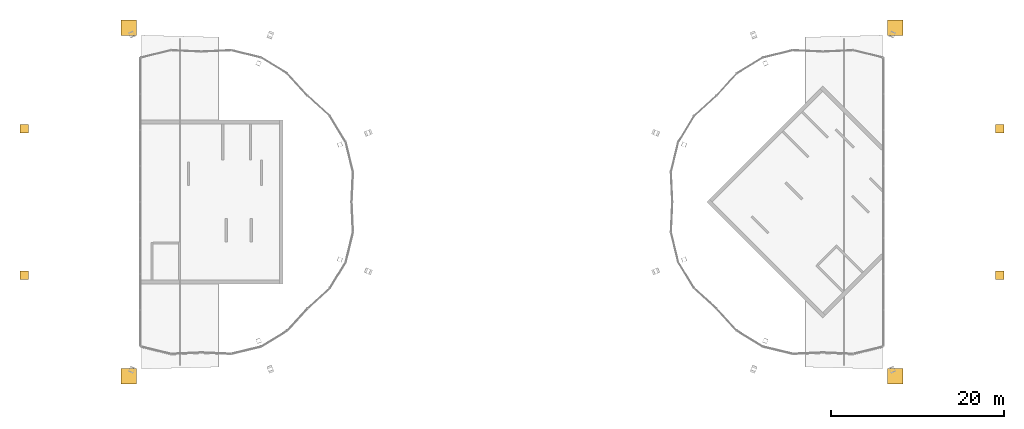
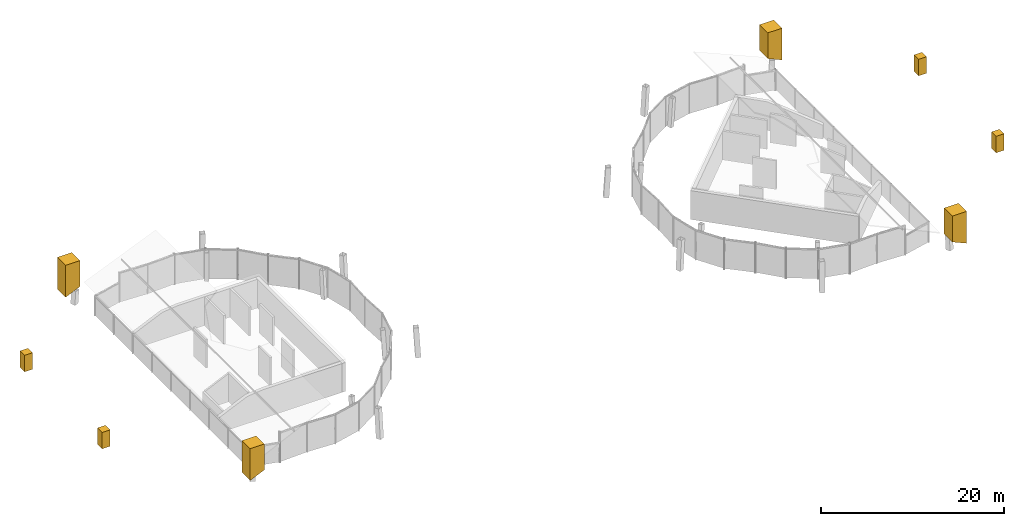
# One storey, part 14 of 14: 8 coverings.
"""IFC4 building model written with IfcOpenShell, lengths in metres."""

from ifc_helpers import new_model, si_unit, direction, frame, origin, place, context, subcontext, project, spatial, polyline, outline, extrude, material, layer, layer_set, type_object, element, save


model = new_model("IFC4")

# Units and contexts
model_context = context("Model", 3, precision=1e-05, world=origin(), true_north=direction((0.0, 1.0)))
body_context = subcontext(model_context, "Body", "Model", "MODEL_VIEW")
ifc_project = project(units=[si_unit("LENGTHUNIT", "METRE"), si_unit("AREAUNIT", "SQUARE_METRE"), si_unit("VOLUMEUNIT", "CUBIC_METRE"), si_unit("PLANEANGLEUNIT", "RADIAN"), si_unit("MASSUNIT", "GRAM", prefix="KILO")], contexts=[model_context])

# Site, building, storey
site_placement = place(None, origin())
site = spatial("IfcSite", under=ifc_project, at=site_placement, CompositionType="ELEMENT")
building_placement = place(site_placement, origin())
building = spatial("IfcBuilding", under=site, at=building_placement, Name="Ogive Gate Towers", CompositionType="ELEMENT")
storey_placement = place(building_placement, frame((0.0, 0.0, 306.0)))
storey = spatial("IfcBuildingStorey", under=building, at=storey_placement, Name="L72", CompositionType="ELEMENT", Elevation=306.0)

# Coverings
ifc_material = material(Name="Cast stone", Category="masonry")
ifc_layer_1 = layer(ifc_material, 2.199951171875)
ifc_layer_set_1 = layer_set([ifc_layer_1], Name="Pinnacle tier 1000")
covering_type_1 = type_object("IfcCoveringType", Name="Pinnacle tier 1000", PredefinedType="CLADDING", material=ifc_layer_set_1)
covering_1_placement = place(storey_placement, frame((0.0, 0.0, 2.33837890625)))
element("IfcCovering", 1, at=covering_1_placement, inside=storey, type_object=covering_type_1, Name="Crown pinnacle", PredefinedType="CLADDING", context=body_context, shape_type="SweptSolid", body=[
    extrude(outline(polyline([(-56.984619140625, 7.985107421875), (-55.984619140625, 7.985107421875), (-55.984619140625, 8.985107421875), (-56.984619140625, 8.985107421875), (-56.984619140625, 7.985107421875)])), origin(), (0.0, 0.0, 1.0), 2.199951171875),
])
covering_2_placement = place(storey_placement, frame((0.0, 0.0, 2.33837890625)))
element("IfcCovering", 2, at=covering_2_placement, inside=storey, type_object=covering_type_1, Name="Crown pinnacle", PredefinedType="CLADDING", context=body_context, shape_type="SweptSolid", body=[
    extrude(outline(polyline([(-56.984619140625, -8.985107421875), (-55.984619140625, -8.985107421875), (-55.984619140625, -7.985107421875), (-56.984619140625, -7.985107421875), (-56.984619140625, -8.985107421875)])), origin(), (0.0, 0.0, 1.0), 2.199951171875),
])
covering_3_placement = place(storey_placement, frame((0.0, 0.0, 2.33837890625)))
element("IfcCovering", 3, at=covering_3_placement, inside=storey, type_object=covering_type_1, Name="Crown pinnacle", PredefinedType="CLADDING", context=body_context, shape_type="SweptSolid", body=[
    extrude(outline(polyline([(56.984619140625, 8.985107421875), (55.984619140625, 8.985107421875), (55.984619140625, 7.985107421875), (56.984619140625, 7.985107421875), (56.984619140625, 8.985107421875)])), origin(), (0.0, 0.0, 1.0), 2.199951171875),
])
covering_4_placement = place(storey_placement, frame((0.0, 0.0, 2.33837890625)))
element("IfcCovering", 4, at=covering_4_placement, inside=storey, type_object=covering_type_1, Name="Crown pinnacle", PredefinedType="CLADDING", context=body_context, shape_type="SweptSolid", body=[
    extrude(outline(polyline([(56.984619140625, -7.985107421875), (55.984619140625, -7.985107421875), (55.984619140625, -8.985107421875), (56.984619140625, -8.985107421875), (56.984619140625, -7.985107421875)])), origin(), (0.0, 0.0, 1.0), 2.199951171875),
])
ifc_layer_2 = layer(ifc_material, 3.0)
ifc_layer_set_2 = layer_set([ifc_layer_2], Name="Pinnacle tier 1800")
covering_type_2 = type_object("IfcCoveringType", Name="Pinnacle tier 1800", PredefinedType="CLADDING", material=ifc_layer_set_2)
for number, where, z_axis, x_axis, name in (
    (5, (-44.36328125, 19.29052734375, 1.758544921875), (0.0, 1.0, 0.0), (-1.0, 0.0, 0.0), "Crown pinnacle"),
    (6, (-44.36328125, -21.090576171875, 1.758544921875), (0.0, 1.0, 0.0), (-1.0, 0.0, 0.0), "Crown pinnacle"),
    (7, (44.36328125, 21.090576171875, 1.758544921875), (0.0, -1.0, 0.0), (1.0, 0.0, 0.0), "Crown pinnacle"),
    (8, (44.36328125, -19.29052734375, 1.758544921875), (0.0, -1.0, 0.0), (1.0, 0.0, 0.0), "Crown pinnacle"),
):
    element("IfcCovering", number, at=place(storey_placement, frame(where, z_axis=z_axis, x_axis=x_axis)), inside=storey, type_object=covering_type_2, Name=name, PredefinedType="CLADDING", context=body_context, shape_type="SweptSolid", body=[
        extrude(outline(polyline([(0.89990234375, -0.402587890625), (-0.89990234375, 0.402587890625), (-0.89990234375, 3.8505859375), (0.89990234375, 3.8505859375), (0.89990234375, -0.402587890625)])), origin(), (0.0, 0.0, 1.0), 1.800048828125),
    ])

save(model, "model.ifc")
